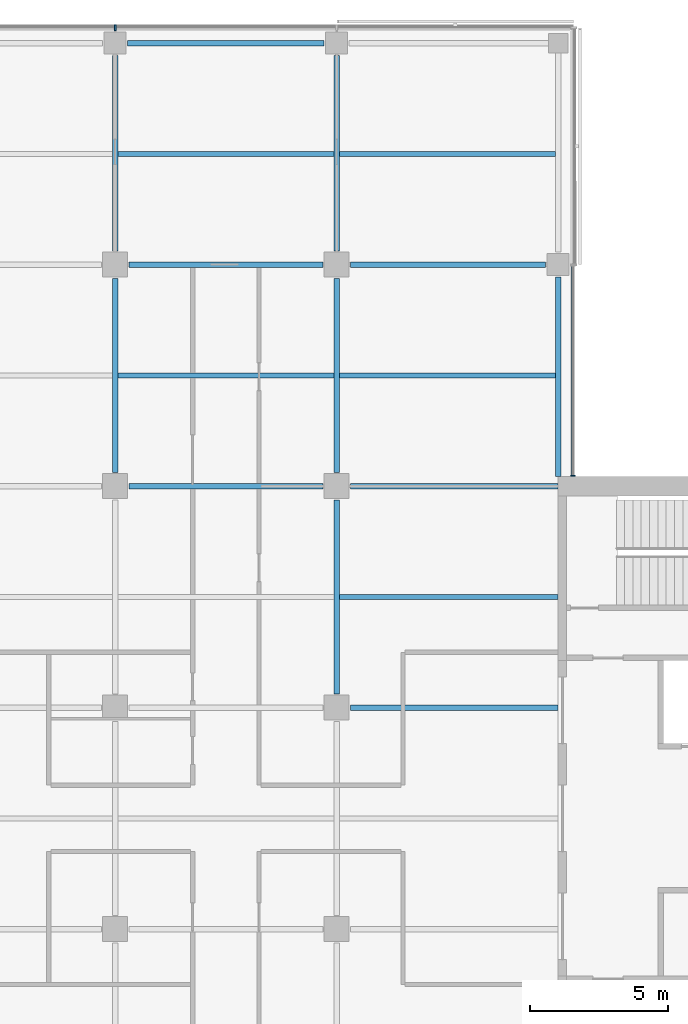
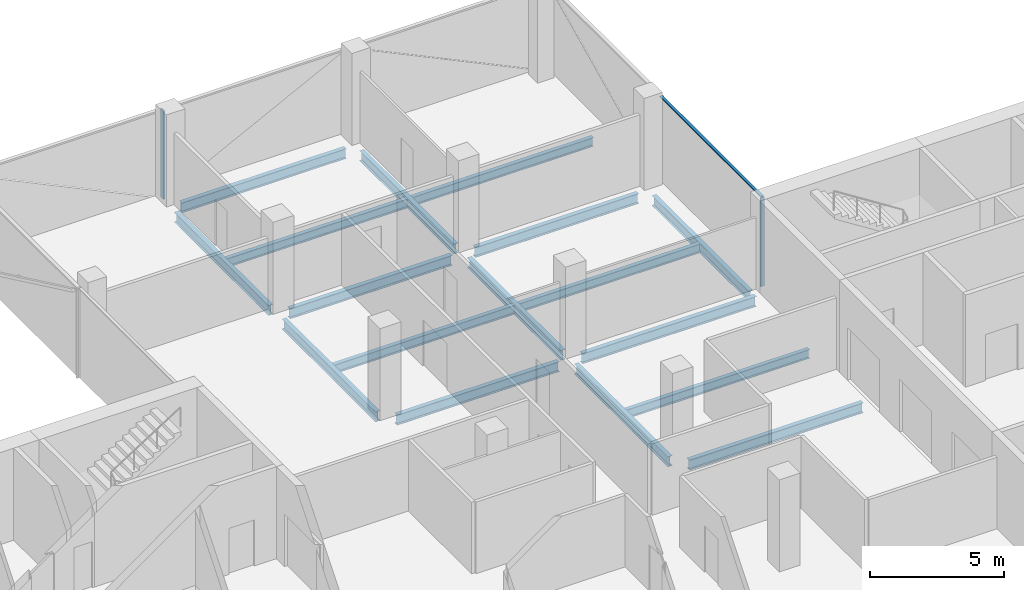
# One storey, part 9 of 22: 17 beams, 3 members, 2 elements without a shape of their own.
"""IFC4 building model written with IfcOpenShell, lengths in metres."""

from ifc_helpers import new_model, si_unit, direction, frame, origin, origin_2d, place, context, subcontext, project, spatial, rectangle, i_section, extrude, material, material_profile, profile_set, type_object, element, aggregate, save


model = new_model("IFC4")

# Units and contexts
model_context = context("Model", 3, precision=1e-05, world=origin(), true_north=direction((0.0, 1.0)))
body_context = subcontext(model_context, "Body", "Model", "MODEL_VIEW")
ifc_project = project(units=[si_unit("LENGTHUNIT", "METRE"), si_unit("AREAUNIT", "SQUARE_METRE"), si_unit("VOLUMEUNIT", "CUBIC_METRE"), si_unit("PLANEANGLEUNIT", "RADIAN"), si_unit("MASSUNIT", "GRAM", prefix="KILO")], contexts=[model_context])

# Site, building, storey
site_placement = place(None, origin())
site = spatial("IfcSite", under=ifc_project, at=site_placement, CompositionType="ELEMENT")
building_placement = place(site_placement, origin())
building = spatial("IfcBuilding", under=site, at=building_placement, Name="Crosswind Convention Tower", CompositionType="ELEMENT")
storey_placement = place(building_placement, frame((0.0, 0.0, 167.300048828125)))
storey = spatial("IfcBuildingStorey", under=building, at=storey_placement, Name="L35", CompositionType="ELEMENT", Elevation=167.300048828125)

# Beams
ifc_material_1 = material(Name="Steel S355", Category="steel")
ifc_material_profile_1 = material_profile(ifc_material_1, i_section(OverallWidth=0.18994140625, OverallDepth=0.45361328125, WebThickness=0.008544921875, FlangeThickness=0.0126953125, FilletRadius=0.01025390625, at=origin_2d()), Name="UB 457x191x67")
ifc_profile_set_1 = profile_set([ifc_material_profile_1], Name="Steel S355")
beam_type_1 = type_object("IfcBeamType", Name="Edge beam UB 457x191x67", PredefinedType="SPANDREL", material=ifc_profile_set_1)
beam_1_placement = place(storey_placement, frame((121.449951171875, 128.0, -0.52685546875), z_axis=(1.0, 0.0, 0.0), x_axis=(0.0, 1.0, 0.0)))
element("IfcBeam", 1, at=beam_1_placement, inside=storey, type_object=beam_type_1, Name="B16 L35 edge beam 13", PredefinedType="SPANDREL", context=body_context, shape_type="SweptSolid", body=[
    extrude(i_section(OverallWidth=0.18994140625, OverallDepth=0.45361328125, WebThickness=0.008544921875, FlangeThickness=0.0126953125, FilletRadius=0.01025390625, at=origin_2d()), origin(), (0.0, 0.0, 1.0), 7.10009765625),
])
beam_2_placement = place(storey_placement, frame((137.0, 112.35009765625, -0.52685546875), z_axis=(0.0, 1.0, 0.0), x_axis=(-1.0, 0.0, 0.0)))
element("IfcBeam", 2, at=beam_2_placement, inside=storey, type_object=beam_type_1, Name="B16 L35 edge beam 18", PredefinedType="SPANDREL", context=body_context, shape_type="SweptSolid", body=[
    extrude(i_section(OverallWidth=0.18994140625, OverallDepth=0.45361328125, WebThickness=0.008544921875, FlangeThickness=0.0126953125, FilletRadius=0.01025390625, at=origin_2d()), origin(), (0.0, 0.0, 1.0), 7.199951171875),
])
ifc_material_profile_2 = material_profile(ifc_material_1, i_section(OverallWidth=0.19140625, OverallDepth=0.460205078125, WebThickness=0.010009765625, FlangeThickness=0.01611328125, FilletRadius=0.01025390625, at=origin_2d()), Name="UB 457x191x82")
ifc_profile_set_2 = profile_set([ifc_material_profile_2], Name="Steel S355")
beam_type_2 = type_object("IfcBeamType", Name="Girder UB 457x191x82", PredefinedType="BEAM", material=ifc_profile_set_2)
beam_3_placement = place(storey_placement, frame((121.0, 112.5, -0.530029296875), z_axis=(0.0, 1.0, 0.0), x_axis=(-1.0, 0.0, 0.0)))
element("IfcBeam", 3, at=beam_3_placement, inside=storey, type_object=beam_type_2, Name="B3 L35 girder 8", PredefinedType="BEAM", context=body_context, shape_type="SweptSolid", body=[
    extrude(i_section(OverallWidth=0.19140625, OverallDepth=0.460205078125, WebThickness=0.010009765625, FlangeThickness=0.01611328125, FilletRadius=0.01025390625, at=origin_2d()), origin(), (0.0, 0.0, 1.0), 7.0),
])
beam_4_placement = place(storey_placement, frame((121.0, 120.5, -0.530029296875), z_axis=(0.0, 1.0, 0.0), x_axis=(-1.0, 0.0, 0.0)))
element("IfcBeam", 4, at=beam_4_placement, inside=storey, type_object=beam_type_2, Name="B3 L35 girder 9", PredefinedType="BEAM", context=body_context, shape_type="SweptSolid", body=[
    extrude(i_section(OverallWidth=0.19140625, OverallDepth=0.460205078125, WebThickness=0.010009765625, FlangeThickness=0.01611328125, FilletRadius=0.01025390625, at=origin_2d()), origin(), (0.0, 0.0, 1.0), 7.050048828125),
])
for number, where, z_axis, x_axis, name in (
    (5, (121.5, 112.0, -0.530029296875), (1.0, 0.0, 0.0), (0.0, 1.0, 0.0), "B3 L35 girder 14"),
    (6, (121.5, 120.0, -0.530029296875), (1.0, 0.0, 0.0), (0.0, 1.0, 0.0), "B3 L35 girder 15"),
    (7, (129.0, 104.5, -0.530029296875), (0.0, 1.0, 0.0), (-1.0, 0.0, 0.0), "B3 L35 girder 20"),
    (8, (129.0, 112.5, -0.530029296875), (0.0, 1.0, 0.0), (-1.0, 0.0, 0.0), "B3 L35 girder 21"),
):
    element("IfcBeam", number, at=place(storey_placement, frame(where, z_axis=z_axis, x_axis=x_axis)), inside=storey, type_object=beam_type_2, Name=name, PredefinedType="BEAM", context=body_context, shape_type="SweptSolid", body=[
        extrude(i_section(OverallWidth=0.19140625, OverallDepth=0.460205078125, WebThickness=0.010009765625, FlangeThickness=0.01611328125, FilletRadius=0.01025390625, at=origin_2d()), origin(), (0.0, 0.0, 1.0), 7.0),
    ])
for number, where, z_axis, x_axis, name in (
    (9, (129.0, 120.5, -0.530029296875), (0.0, 1.0, 0.0), (-1.0, 0.0, 0.0), "B3 L35 girder 22"),
    (10, (129.5, 120.0, -0.530029296875), (1.0, 0.0, 0.0), (0.0, 1.0, 0.0), "B3 L35 girder 24"),
):
    element("IfcBeam", number, at=place(storey_placement, frame(where, z_axis=z_axis, x_axis=x_axis)), inside=storey, type_object=beam_type_2, Name=name, PredefinedType="BEAM", context=body_context, shape_type="SweptSolid", body=[
        extrude(i_section(OverallWidth=0.19140625, OverallDepth=0.460205078125, WebThickness=0.010009765625, FlangeThickness=0.01611328125, FilletRadius=0.01025390625, at=origin_2d()), origin(), (0.0, 0.0, 1.0), 7.050048828125),
    ])
ifc_material_profile_3 = material_profile(ifc_material_1, i_section(OverallWidth=0.19189453125, OverallDepth=0.463623046875, WebThickness=0.010498046875, FlangeThickness=0.017578125, FilletRadius=0.01025390625, at=origin_2d()), Name="UB 457x191x90")
ifc_profile_set_3 = profile_set([ifc_material_profile_3], Name="Steel S355")
beam_type_3 = type_object("IfcBeamType", Name="Girder at core wall UB 457x191x90", PredefinedType="BEAM", material=ifc_profile_set_3)
for number, where, z_axis, x_axis, name in (
    (11, (129.5, 104.0, -0.53173828125), (1.0, 0.0, 0.0), (0.0, 1.0, 0.0), "B24 L35 girder at core wall 9"),
    (12, (129.5, 112.0, -0.53173828125), (1.0, 0.0, 0.0), (0.0, 1.0, 0.0), "B24 L35 girder at core wall 10"),
):
    element("IfcBeam", number, at=place(storey_placement, frame(where, z_axis=z_axis, x_axis=x_axis)), inside=storey, type_object=beam_type_3, Name=name, PredefinedType="BEAM", context=body_context, shape_type="SweptSolid", body=[
        extrude(i_section(OverallWidth=0.19189453125, OverallDepth=0.463623046875, WebThickness=0.010498046875, FlangeThickness=0.017578125, FilletRadius=0.01025390625, at=origin_2d()), origin(), (0.0, 0.0, 1.0), 7.5),
    ])

# Curtain wall, member
ifc_material_2 = material(Name="Aluminium unitised curtain wall", Category="aluminium")
curtain_wall_type_1 = type_object("IfcCurtainWallType", Name="CORE END SLOT WALL 160", PredefinedType="USERDEFINED", material=ifc_material_2)
curtain_wall_1_placement = place(storey_placement, origin())
curtain_wall_1 = element("IfcCurtainWall", 13, at=curtain_wall_1_placement, inside=storey, type_object=curtain_wall_type_1, Name="CW6 L35 N-E.1-1 slot", ObjectType="UNITISED", PredefinedType="USERDEFINED")
ifc_material_3 = material(Name="Aluminium mullion", Category="aluminium")
ifc_material_profile_4 = material_profile(ifc_material_3, rectangle(XDim=0.159912109375, YDim=0.050048828125, at=origin_2d()), Name="AL 160X50")
ifc_profile_set_4 = profile_set([ifc_material_profile_4], Name="Aluminium mullion")
member_type_1 = type_object("IfcMemberType", Name="MULLION 50X160", PredefinedType="MULLION", material=ifc_profile_set_4)
member_1_placement = place(storey_placement, frame((137.530029296875, 112.375, -0.300048828125), z_axis=(0.0, 0.0, 1.0), x_axis=(1.0, 0.0, 0.0)))
member_1 = element("IfcMember", 14, at=member_1_placement, type_object=member_type_1, Name="CW6 mullion 1", PredefinedType="MULLION", context=body_context, shape_type="SweptSolid", body=[
    extrude(rectangle(XDim=0.159912109375, YDim=0.050048828125, at=origin_2d()), origin(), (0.0, 0.0, 1.0), 4.050048828125),
])

curtain_wall_type_2 = type_object("IfcCurtainWallType", Name="OFFICE UNITISED WALL 220", PredefinedType="USERDEFINED", material=ifc_material_2)
curtain_wall_2_placement = place(storey_placement, origin())
curtain_wall_2 = element("IfcCurtainWall", 15, at=curtain_wall_2_placement, inside=storey, type_object=curtain_wall_type_2, Name="CW3 L35 N-TIP 1", ObjectType="UNITISED", PredefinedType="USERDEFINED")
ifc_material_profile_5 = material_profile(ifc_material_3, rectangle(XDim=0.219970703125, YDim=0.070068359375, at=origin_2d()), Name="AL 220X70")
ifc_profile_set_5 = profile_set([ifc_material_profile_5], Name="Aluminium mullion")
member_type_2 = type_object("IfcMemberType", Name="MULLION 70X220", PredefinedType="MULLION", material=ifc_profile_set_5)
member_2_placement = place(storey_placement, frame((121.0, 128.56005859375, -0.300048828125), z_axis=(0.0, 0.0, 1.0), x_axis=(0.0, 1.0, 0.0)))
member_2 = element("IfcMember", 16, at=member_2_placement, type_object=member_type_2, Name="CW3 mullion 3", PredefinedType="MULLION", context=body_context, shape_type="SweptSolid", body=[
    extrude(rectangle(XDim=0.219970703125, YDim=0.070068359375, at=origin_2d()), origin(), (0.0, 0.0, 1.0), 4.030029296875),
])
aggregate(curtain_wall_2, [member_2])

# Beams
ifc_material_profile_6 = material_profile(ifc_material_1, i_section(OverallWidth=0.177734375, OverallDepth=0.406494140625, WebThickness=0.0078125, FlangeThickness=0.0126953125, FilletRadius=0.01025390625, at=origin_2d()), Name="UB 406x178x60")
ifc_profile_set_6 = profile_set([ifc_material_profile_6], Name="Steel S355")
beam_type_4 = type_object("IfcBeamType", Name="Secondary beam UB 406x178x60", PredefinedType="JOIST", material=ifc_profile_set_6)
for number, where, z_axis, x_axis, name in (
    (17, (121.095703125, 116.0, -0.503173828125), (1.0, 0.0, 0.0), (0.0, 1.0, 0.0), "B10 L35 secondary beam 16"),
    (18, (121.095703125, 124.0, -0.503173828125), (1.0, 0.0, 0.0), (0.0, 1.0, 0.0), "B10 L35 secondary beam 17"),
):
    element("IfcBeam", number, at=place(storey_placement, frame(where, z_axis=z_axis, x_axis=x_axis)), inside=storey, type_object=beam_type_4, Name=name, PredefinedType="JOIST", context=body_context, shape_type="SweptSolid", body=[
        extrude(i_section(OverallWidth=0.177734375, OverallDepth=0.406494140625, WebThickness=0.0078125, FlangeThickness=0.0126953125, FilletRadius=0.01025390625, at=origin_2d()), origin(), (0.0, 0.0, 1.0), 7.80859375),
    ])
beam_5_placement = place(storey_placement, frame((129.095703125, 108.0, -0.503173828125), z_axis=(1.0, 0.0, 0.0), x_axis=(0.0, 1.0, 0.0)))
element("IfcBeam", 19, at=beam_5_placement, inside=storey, type_object=beam_type_4, Name="B10 L35 secondary beam 22", PredefinedType="JOIST", context=body_context, shape_type="SweptSolid", body=[
    extrude(i_section(OverallWidth=0.177734375, OverallDepth=0.406494140625, WebThickness=0.0078125, FlangeThickness=0.0126953125, FilletRadius=0.01025390625, at=origin_2d()), origin(), (0.0, 0.0, 1.0), 7.904296875),
])
for number, where, z_axis, x_axis, name in (
    (20, (129.095703125, 116.0, -0.503173828125), (1.0, 0.0, 0.0), (0.0, 1.0, 0.0), "B10 L35 secondary beam 23"),
    (21, (129.095703125, 124.0, -0.503173828125), (1.0, 0.0, 0.0), (0.0, 1.0, 0.0), "B10 L35 secondary beam 24"),
):
    element("IfcBeam", number, at=place(storey_placement, frame(where, z_axis=z_axis, x_axis=x_axis)), inside=storey, type_object=beam_type_4, Name=name, PredefinedType="JOIST", context=body_context, shape_type="SweptSolid", body=[
        extrude(i_section(OverallWidth=0.177734375, OverallDepth=0.406494140625, WebThickness=0.0078125, FlangeThickness=0.0126953125, FilletRadius=0.01025390625, at=origin_2d()), origin(), (0.0, 0.0, 1.0), 7.809326171875),
    ])

# Member
ifc_material_4 = material(Name="Aluminium transom", Category="aluminium")
ifc_material_profile_7 = material_profile(ifc_material_4, rectangle(XDim=0.1201171875, YDim=0.050048828125, at=origin_2d()), Name="AL 120X50")
ifc_profile_set_7 = profile_set([ifc_material_profile_7], Name="Aluminium transom")
member_type_3 = type_object("IfcMemberType", Name="TRANSOM 50X120", PredefinedType="USERDEFINED", material=ifc_profile_set_7)
member_3_placement = place(storey_placement, frame((137.530029296875, 112.39990234375, 3.77490234375), z_axis=(0.0, 1.0, 0.0), x_axis=(-1.0, 0.0, 0.0)))
member_3 = element("IfcMember", 22, at=member_3_placement, type_object=member_type_3, Name="CW6 transom", ObjectType="TRANSOM", PredefinedType="USERDEFINED", context=body_context, shape_type="SweptSolid", body=[
    extrude(rectangle(XDim=0.1201171875, YDim=0.050048828125, at=origin_2d()), origin(), (0.0, 0.0, 1.0), 7.550048828125),
])

aggregate(curtain_wall_1, [member_1, member_3])

save(model, "model.ifc")
